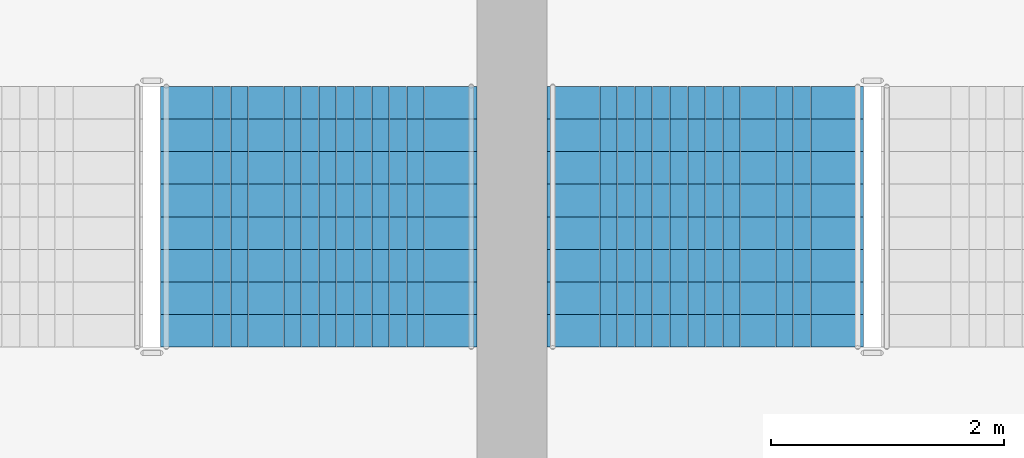
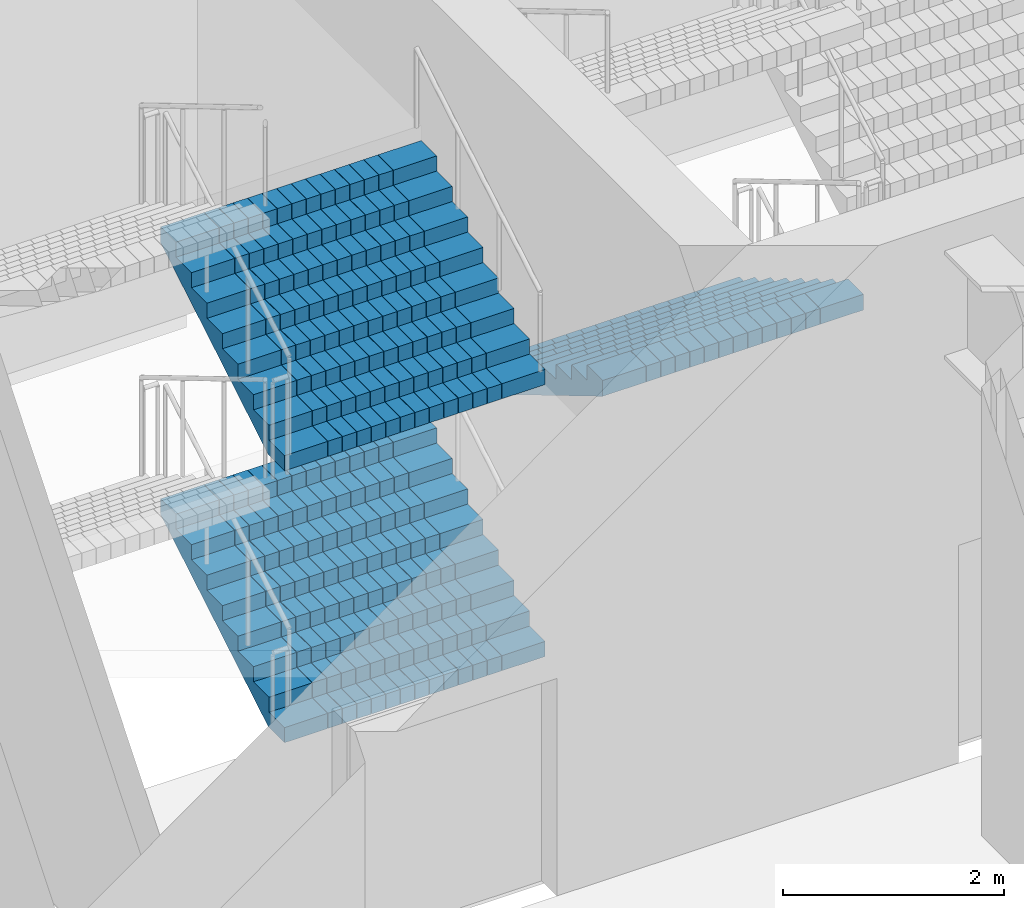
# One storey, part 35 of 43: 3 stair flights, 2 elements without a shape of their own.
"""IFC4 building model written with IfcOpenShell, lengths in metres."""

from ifc_helpers import new_model, si_unit, direction, frame, origin, place, context, subcontext, project, spatial, polyline, outline, extrude, material, type_object, element, aggregate, save


model = new_model("IFC4")

# Units and contexts
model_context = context("Model", 3, precision=1e-05, world=origin(), true_north=direction((0.0, 1.0)))
body_context = subcontext(model_context, "Body", "Model", "MODEL_VIEW")
ifc_project = project(units=[si_unit("LENGTHUNIT", "METRE"), si_unit("AREAUNIT", "SQUARE_METRE"), si_unit("VOLUMEUNIT", "CUBIC_METRE"), si_unit("PLANEANGLEUNIT", "RADIAN"), si_unit("MASSUNIT", "GRAM", prefix="KILO")], contexts=[model_context])

# Site, building, storey
site_placement = place(None, origin())
site = spatial("IfcSite", under=ifc_project, at=site_placement, CompositionType="ELEMENT")
building_placement = place(site_placement, origin())
building = spatial("IfcBuilding", under=site, at=building_placement, Name="Corbelhall Arena Tower", CompositionType="ELEMENT")
storey_placement = place(building_placement, frame((0.0, 0.0, 25.0)))
storey = spatial("IfcBuildingStorey", under=building, at=storey_placement, Name="L03", CompositionType="ELEMENT", Elevation=25.0)

# Stair, stair flights
ifc_material = material(Name="Reinforced concrete C40/50", Category="concrete")
stair_type = type_object("IfcStairType", Name="AR-EXIT-STAIR", PredefinedType="HALF_TURN_STAIR", material=ifc_material)
stair_1_placement = place(storey_placement, origin())
stair_1 = element("IfcStair", 1, at=stair_1_placement, inside=storey, type_object=stair_type, Name="L03 exit stair AS1", PredefinedType="HALF_TURN_STAIR")
stair_flight_type = type_object("IfcStairFlightType", Name="AR-EXIT-FLIGHT", PredefinedType="STRAIGHT", material=ifc_material)
stair_flight_1_placement = place(storey_placement, frame((38.840087890625, 27.320068359375, 0.0), z_axis=(0.0, 0.0, 1.0), x_axis=(0.0, 1.0, 0.0)))
stair_flight_1 = element("IfcStairFlight", 2, at=stair_flight_1_placement, type_object=stair_flight_type, Name="AS1 flight 1", NumberOfRisers=9, NumberOfTreads=8, PredefinedType="STRAIGHT", RiserHeight=0.166666667, TreadLength=0.28, context=body_context, shape_type="SweptSolid", body=[
    extrude(outline(polyline([(0.0, 0.0), (0.0, 0.166748046875), (0.280029296875, 0.166748046875), (0.280029296875, 0.333251953125), (0.56005859375, 0.333251953125), (0.56005859375, 0.5), (0.840087890625, 0.5), (0.840087890625, 0.666748046875), (1.1201171875, 0.666748046875), (1.1201171875, 0.833251953125), (1.39990234375, 0.833251953125), (1.39990234375, 1.0), (1.679931640625, 1.0), (1.679931640625, 1.166748046875), (1.9599609375, 1.166748046875), (1.9599609375, 1.333251953125), (2.239990234375, 1.333251953125), (2.239990234375, 1.5), (2.239990234375, 1.158935546875), (0.29296875, 0.0), (0.0, 0.0)])), frame((0.0, 1.35986328125, 0.0), z_axis=(0.0, -1.0, 0.0), x_axis=(1.0, 0.0, 0.0)), (0.0, 0.0, 1.0), 0.449951171875),
    extrude(outline(polyline([(0.0, 0.0), (0.0, 0.166748046875), (0.280029296875, 0.166748046875), (0.280029296875, 0.333251953125), (0.56005859375, 0.333251953125), (0.56005859375, 0.5), (0.840087890625, 0.5), (0.840087890625, 0.666748046875), (1.1201171875, 0.666748046875), (1.1201171875, 0.833251953125), (1.39990234375, 0.833251953125), (1.39990234375, 1.0), (1.679931640625, 1.0), (1.679931640625, 1.166748046875), (1.9599609375, 1.166748046875), (1.9599609375, 1.333251953125), (2.239990234375, 1.333251953125), (2.239990234375, 1.5), (2.239990234375, 1.158935546875), (0.29296875, 0.0), (0.0, 0.0)])), frame((0.0, 0.906005859375, 0.0), z_axis=(0.0, -1.0, 0.0), x_axis=(1.0, 0.0, 0.0)), (0.0, 0.0, 1.0), 0.147216796875),
    extrude(outline(polyline([(0.0, 0.0), (0.0, 0.166748046875), (0.280029296875, 0.166748046875), (0.280029296875, 0.333251953125), (0.56005859375, 0.333251953125), (0.56005859375, 0.5), (0.840087890625, 0.5), (0.840087890625, 0.666748046875), (1.1201171875, 0.666748046875), (1.1201171875, 0.833251953125), (1.39990234375, 0.833251953125), (1.39990234375, 1.0), (1.679931640625, 1.0), (1.679931640625, 1.166748046875), (1.9599609375, 1.166748046875), (1.9599609375, 1.333251953125), (2.239990234375, 1.333251953125), (2.239990234375, 1.5), (2.239990234375, 1.158935546875), (0.29296875, 0.0), (0.0, 0.0)])), frame((0.0, 0.754638671875, 0.0), z_axis=(0.0, -1.0, 0.0), x_axis=(1.0, 0.0, 0.0)), (0.0, 0.0, 1.0), 0.147216796875),
    extrude(outline(polyline([(0.0, 0.0), (0.0, 0.166748046875), (0.280029296875, 0.166748046875), (0.280029296875, 0.333251953125), (0.56005859375, 0.333251953125), (0.56005859375, 0.5), (0.840087890625, 0.5), (0.840087890625, 0.666748046875), (1.1201171875, 0.666748046875), (1.1201171875, 0.833251953125), (1.39990234375, 0.833251953125), (1.39990234375, 1.0), (1.679931640625, 1.0), (1.679931640625, 1.166748046875), (1.9599609375, 1.166748046875), (1.9599609375, 1.333251953125), (2.239990234375, 1.333251953125), (2.239990234375, 1.5), (2.239990234375, 1.158935546875), (0.29296875, 0.0), (0.0, 0.0)])), frame((0.0, 0.603271484375, 0.0), z_axis=(0.0, -1.0, 0.0), x_axis=(1.0, 0.0, 0.0)), (0.0, 0.0, 1.0), 0.147216796875),
    extrude(outline(polyline([(0.0, 0.0), (0.0, 0.166748046875), (0.280029296875, 0.166748046875), (0.280029296875, 0.333251953125), (0.56005859375, 0.333251953125), (0.56005859375, 0.5), (0.840087890625, 0.5), (0.840087890625, 0.666748046875), (1.1201171875, 0.666748046875), (1.1201171875, 0.833251953125), (1.39990234375, 0.833251953125), (1.39990234375, 1.0), (1.679931640625, 1.0), (1.679931640625, 1.166748046875), (1.9599609375, 1.166748046875), (1.9599609375, 1.333251953125), (2.239990234375, 1.333251953125), (2.239990234375, 1.5), (2.239990234375, 1.158935546875), (0.29296875, 0.0), (0.0, 0.0)])), frame((0.0, 0.451904296875, 0.0), z_axis=(0.0, -1.0, 0.0), x_axis=(1.0, 0.0, 0.0)), (0.0, 0.0, 1.0), 0.147216796875),
    extrude(outline(polyline([(0.0, 0.0), (0.0, 0.166748046875), (0.280029296875, 0.166748046875), (0.280029296875, 0.333251953125), (0.56005859375, 0.333251953125), (0.56005859375, 0.5), (0.840087890625, 0.5), (0.840087890625, 0.666748046875), (1.1201171875, 0.666748046875), (1.1201171875, 0.833251953125), (1.39990234375, 0.833251953125), (1.39990234375, 1.0), (1.679931640625, 1.0), (1.679931640625, 1.166748046875), (1.9599609375, 1.166748046875), (1.9599609375, 1.333251953125), (2.239990234375, 1.333251953125), (2.239990234375, 1.5), (2.239990234375, 1.158935546875), (0.29296875, 0.0), (0.0, 0.0)])), frame((0.0, 0.30078125, 0.0), z_axis=(0.0, -1.0, 0.0), x_axis=(1.0, 0.0, 0.0)), (0.0, 0.0, 1.0), 0.147216796875),
    extrude(outline(polyline([(0.0, 0.0), (0.0, 0.166748046875), (0.280029296875, 0.166748046875), (0.280029296875, 0.333251953125), (0.56005859375, 0.333251953125), (0.56005859375, 0.5), (0.840087890625, 0.5), (0.840087890625, 0.666748046875), (1.1201171875, 0.666748046875), (1.1201171875, 0.833251953125), (1.39990234375, 0.833251953125), (1.39990234375, 1.0), (1.679931640625, 1.0), (1.679931640625, 1.166748046875), (1.9599609375, 1.166748046875), (1.9599609375, 1.333251953125), (2.239990234375, 1.333251953125), (2.239990234375, 1.5), (2.239990234375, 1.158935546875), (0.29296875, 0.0), (0.0, 0.0)])), frame((0.0, 0.1494140625, 0.0), z_axis=(0.0, -1.0, 0.0), x_axis=(1.0, 0.0, 0.0)), (0.0, 0.0, 1.0), 0.147216796875),
    extrude(outline(polyline([(0.0, 0.0), (0.0, 0.166748046875), (0.280029296875, 0.166748046875), (0.280029296875, 0.333251953125), (0.56005859375, 0.333251953125), (0.56005859375, 0.5), (0.840087890625, 0.5), (0.840087890625, 0.666748046875), (1.1201171875, 0.666748046875), (1.1201171875, 0.833251953125), (1.39990234375, 0.833251953125), (1.39990234375, 1.0), (1.679931640625, 1.0), (1.679931640625, 1.166748046875), (1.9599609375, 1.166748046875), (1.9599609375, 1.333251953125), (2.239990234375, 1.333251953125), (2.239990234375, 1.5), (2.239990234375, 1.158935546875), (0.29296875, 0.0), (0.0, 0.0)])), frame((0.0, -0.001953125, 0.0), z_axis=(0.0, -1.0, 0.0), x_axis=(1.0, 0.0, 0.0)), (0.0, 0.0, 1.0), 0.147216796875),
    extrude(outline(polyline([(0.0, 0.0), (0.0, 0.166748046875), (0.280029296875, 0.166748046875), (0.280029296875, 0.333251953125), (0.56005859375, 0.333251953125), (0.56005859375, 0.5), (0.840087890625, 0.5), (0.840087890625, 0.666748046875), (1.1201171875, 0.666748046875), (1.1201171875, 0.833251953125), (1.39990234375, 0.833251953125), (1.39990234375, 1.0), (1.679931640625, 1.0), (1.679931640625, 1.166748046875), (1.9599609375, 1.166748046875), (1.9599609375, 1.333251953125), (2.239990234375, 1.333251953125), (2.239990234375, 1.5), (2.239990234375, 1.158935546875), (0.29296875, 0.0), (0.0, 0.0)])), frame((0.0, -0.1533203125, 0.0), z_axis=(0.0, -1.0, 0.0), x_axis=(1.0, 0.0, 0.0)), (0.0, 0.0, 1.0), 0.147216796875),
    extrude(outline(polyline([(0.0, 0.0), (0.0, 0.166748046875), (0.280029296875, 0.166748046875), (0.280029296875, 0.333251953125), (0.56005859375, 0.333251953125), (0.56005859375, 0.5), (0.840087890625, 0.5), (0.840087890625, 0.666748046875), (1.1201171875, 0.666748046875), (1.1201171875, 0.833251953125), (1.39990234375, 0.833251953125), (1.39990234375, 1.0), (1.679931640625, 1.0), (1.679931640625, 1.166748046875), (1.9599609375, 1.166748046875), (1.9599609375, 1.333251953125), (2.239990234375, 1.333251953125), (2.239990234375, 1.5), (2.239990234375, 1.158935546875), (0.29296875, 0.0), (0.0, 0.0)])), frame((0.0, -0.3046875, 0.0), z_axis=(0.0, -1.0, 0.0), x_axis=(1.0, 0.0, 0.0)), (0.0, 0.0, 1.0), 0.147216796875),
    extrude(outline(polyline([(0.0, 0.0), (0.0, 0.166748046875), (0.280029296875, 0.166748046875), (0.280029296875, 0.333251953125), (0.56005859375, 0.333251953125), (0.56005859375, 0.5), (0.840087890625, 0.5), (0.840087890625, 0.666748046875), (1.1201171875, 0.666748046875), (1.1201171875, 0.833251953125), (1.39990234375, 0.833251953125), (1.39990234375, 1.0), (1.679931640625, 1.0), (1.679931640625, 1.166748046875), (1.9599609375, 1.166748046875), (1.9599609375, 1.333251953125), (2.239990234375, 1.333251953125), (2.239990234375, 1.5), (2.239990234375, 1.158935546875), (0.29296875, 0.0), (0.0, 0.0)])), frame((0.0, -0.4560546875, 0.0), z_axis=(0.0, -1.0, 0.0), x_axis=(1.0, 0.0, 0.0)), (0.0, 0.0, 1.0), 0.147216796875),
    extrude(outline(polyline([(0.0, 0.0), (0.0, 0.166748046875), (0.280029296875, 0.166748046875), (0.280029296875, 0.333251953125), (0.56005859375, 0.333251953125), (0.56005859375, 0.5), (0.840087890625, 0.5), (0.840087890625, 0.666748046875), (1.1201171875, 0.666748046875), (1.1201171875, 0.833251953125), (1.39990234375, 0.833251953125), (1.39990234375, 1.0), (1.679931640625, 1.0), (1.679931640625, 1.166748046875), (1.9599609375, 1.166748046875), (1.9599609375, 1.333251953125), (2.239990234375, 1.333251953125), (2.239990234375, 1.5), (2.239990234375, 1.158935546875), (0.29296875, 0.0), (0.0, 0.0)])), frame((0.0, -0.607421875, 0.0), z_axis=(0.0, -1.0, 0.0), x_axis=(1.0, 0.0, 0.0)), (0.0, 0.0, 1.0), 0.147216796875),
    extrude(outline(polyline([(0.0, 0.0), (0.0, 0.166748046875), (0.280029296875, 0.166748046875), (0.280029296875, 0.333251953125), (0.56005859375, 0.333251953125), (0.56005859375, 0.5), (0.840087890625, 0.5), (0.840087890625, 0.666748046875), (1.1201171875, 0.666748046875), (1.1201171875, 0.833251953125), (1.39990234375, 0.833251953125), (1.39990234375, 1.0), (1.679931640625, 1.0), (1.679931640625, 1.166748046875), (1.9599609375, 1.166748046875), (1.9599609375, 1.333251953125), (2.239990234375, 1.333251953125), (2.239990234375, 1.5), (2.239990234375, 1.158935546875), (0.29296875, 0.0), (0.0, 0.0)])), frame((0.0, -0.758544921875, 0.0), z_axis=(0.0, -1.0, 0.0), x_axis=(1.0, 0.0, 0.0)), (0.0, 0.0, 1.0), 0.147216796875),
    extrude(outline(polyline([(0.0, 0.0), (0.0, 0.166748046875), (0.280029296875, 0.166748046875), (0.280029296875, 0.333251953125), (0.56005859375, 0.333251953125), (0.56005859375, 0.5), (0.840087890625, 0.5), (0.840087890625, 0.666748046875), (1.1201171875, 0.666748046875), (1.1201171875, 0.833251953125), (1.39990234375, 0.833251953125), (1.39990234375, 1.0), (1.679931640625, 1.0), (1.679931640625, 1.166748046875), (1.9599609375, 1.166748046875), (1.9599609375, 1.333251953125), (2.239990234375, 1.333251953125), (2.239990234375, 1.5), (2.239990234375, 1.158935546875), (0.29296875, 0.0), (0.0, 0.0)])), frame((0.0, -0.909912109375, 0.0), z_axis=(0.0, -1.0, 0.0), x_axis=(1.0, 0.0, 0.0)), (0.0, 0.0, 1.0), 0.449951171875),
])
stair_flight_2_placement = place(storey_placement, frame((38.840087890625, 27.320068359375, 3.0), z_axis=(0.0, 0.0, 1.0), x_axis=(0.0, 1.0, 0.0)))
stair_flight_2 = element("IfcStairFlight", 3, at=stair_flight_2_placement, type_object=stair_flight_type, Name="AS1 flight 3", NumberOfRisers=9, NumberOfTreads=8, PredefinedType="STRAIGHT", RiserHeight=0.166666667, TreadLength=0.28, context=body_context, shape_type="SweptSolid", body=[
    extrude(outline(polyline([(0.0, 0.0), (0.0, 0.166748046875), (0.280029296875, 0.166748046875), (0.280029296875, 0.333251953125), (0.56005859375, 0.333251953125), (0.56005859375, 0.5), (0.840087890625, 0.5), (0.840087890625, 0.666748046875), (1.1201171875, 0.666748046875), (1.1201171875, 0.833251953125), (1.39990234375, 0.833251953125), (1.39990234375, 1.0), (1.679931640625, 1.0), (1.679931640625, 1.166748046875), (1.9599609375, 1.166748046875), (1.9599609375, 1.333251953125), (2.239990234375, 1.333251953125), (2.239990234375, 1.5), (2.239990234375, 1.158935546875), (0.29296875, 0.0), (0.0, 0.0)])), frame((0.0, 1.35986328125, 0.0), z_axis=(0.0, -1.0, 0.0), x_axis=(1.0, 0.0, 0.0)), (0.0, 0.0, 1.0), 0.449951171875),
    extrude(outline(polyline([(0.0, 0.0), (0.0, 0.166748046875), (0.280029296875, 0.166748046875), (0.280029296875, 0.333251953125), (0.56005859375, 0.333251953125), (0.56005859375, 0.5), (0.840087890625, 0.5), (0.840087890625, 0.666748046875), (1.1201171875, 0.666748046875), (1.1201171875, 0.833251953125), (1.39990234375, 0.833251953125), (1.39990234375, 1.0), (1.679931640625, 1.0), (1.679931640625, 1.166748046875), (1.9599609375, 1.166748046875), (1.9599609375, 1.333251953125), (2.239990234375, 1.333251953125), (2.239990234375, 1.5), (2.239990234375, 1.158935546875), (0.29296875, 0.0), (0.0, 0.0)])), frame((0.0, 0.906005859375, 0.0), z_axis=(0.0, -1.0, 0.0), x_axis=(1.0, 0.0, 0.0)), (0.0, 0.0, 1.0), 0.147216796875),
    extrude(outline(polyline([(0.0, 0.0), (0.0, 0.166748046875), (0.280029296875, 0.166748046875), (0.280029296875, 0.333251953125), (0.56005859375, 0.333251953125), (0.56005859375, 0.5), (0.840087890625, 0.5), (0.840087890625, 0.666748046875), (1.1201171875, 0.666748046875), (1.1201171875, 0.833251953125), (1.39990234375, 0.833251953125), (1.39990234375, 1.0), (1.679931640625, 1.0), (1.679931640625, 1.166748046875), (1.9599609375, 1.166748046875), (1.9599609375, 1.333251953125), (2.239990234375, 1.333251953125), (2.239990234375, 1.5), (2.239990234375, 1.158935546875), (0.29296875, 0.0), (0.0, 0.0)])), frame((0.0, 0.754638671875, 0.0), z_axis=(0.0, -1.0, 0.0), x_axis=(1.0, 0.0, 0.0)), (0.0, 0.0, 1.0), 0.147216796875),
    extrude(outline(polyline([(0.0, 0.0), (0.0, 0.166748046875), (0.280029296875, 0.166748046875), (0.280029296875, 0.333251953125), (0.56005859375, 0.333251953125), (0.56005859375, 0.5), (0.840087890625, 0.5), (0.840087890625, 0.666748046875), (1.1201171875, 0.666748046875), (1.1201171875, 0.833251953125), (1.39990234375, 0.833251953125), (1.39990234375, 1.0), (1.679931640625, 1.0), (1.679931640625, 1.166748046875), (1.9599609375, 1.166748046875), (1.9599609375, 1.333251953125), (2.239990234375, 1.333251953125), (2.239990234375, 1.5), (2.239990234375, 1.158935546875), (0.29296875, 0.0), (0.0, 0.0)])), frame((0.0, 0.603271484375, 0.0), z_axis=(0.0, -1.0, 0.0), x_axis=(1.0, 0.0, 0.0)), (0.0, 0.0, 1.0), 0.147216796875),
    extrude(outline(polyline([(0.0, 0.0), (0.0, 0.166748046875), (0.280029296875, 0.166748046875), (0.280029296875, 0.333251953125), (0.56005859375, 0.333251953125), (0.56005859375, 0.5), (0.840087890625, 0.5), (0.840087890625, 0.666748046875), (1.1201171875, 0.666748046875), (1.1201171875, 0.833251953125), (1.39990234375, 0.833251953125), (1.39990234375, 1.0), (1.679931640625, 1.0), (1.679931640625, 1.166748046875), (1.9599609375, 1.166748046875), (1.9599609375, 1.333251953125), (2.239990234375, 1.333251953125), (2.239990234375, 1.5), (2.239990234375, 1.158935546875), (0.29296875, 0.0), (0.0, 0.0)])), frame((0.0, 0.451904296875, 0.0), z_axis=(0.0, -1.0, 0.0), x_axis=(1.0, 0.0, 0.0)), (0.0, 0.0, 1.0), 0.147216796875),
    extrude(outline(polyline([(0.0, 0.0), (0.0, 0.166748046875), (0.280029296875, 0.166748046875), (0.280029296875, 0.333251953125), (0.56005859375, 0.333251953125), (0.56005859375, 0.5), (0.840087890625, 0.5), (0.840087890625, 0.666748046875), (1.1201171875, 0.666748046875), (1.1201171875, 0.833251953125), (1.39990234375, 0.833251953125), (1.39990234375, 1.0), (1.679931640625, 1.0), (1.679931640625, 1.166748046875), (1.9599609375, 1.166748046875), (1.9599609375, 1.333251953125), (2.239990234375, 1.333251953125), (2.239990234375, 1.5), (2.239990234375, 1.158935546875), (0.29296875, 0.0), (0.0, 0.0)])), frame((0.0, 0.30078125, 0.0), z_axis=(0.0, -1.0, 0.0), x_axis=(1.0, 0.0, 0.0)), (0.0, 0.0, 1.0), 0.147216796875),
    extrude(outline(polyline([(0.0, 0.0), (0.0, 0.166748046875), (0.280029296875, 0.166748046875), (0.280029296875, 0.333251953125), (0.56005859375, 0.333251953125), (0.56005859375, 0.5), (0.840087890625, 0.5), (0.840087890625, 0.666748046875), (1.1201171875, 0.666748046875), (1.1201171875, 0.833251953125), (1.39990234375, 0.833251953125), (1.39990234375, 1.0), (1.679931640625, 1.0), (1.679931640625, 1.166748046875), (1.9599609375, 1.166748046875), (1.9599609375, 1.333251953125), (2.239990234375, 1.333251953125), (2.239990234375, 1.5), (2.239990234375, 1.158935546875), (0.29296875, 0.0), (0.0, 0.0)])), frame((0.0, 0.1494140625, 0.0), z_axis=(0.0, -1.0, 0.0), x_axis=(1.0, 0.0, 0.0)), (0.0, 0.0, 1.0), 0.147216796875),
    extrude(outline(polyline([(0.0, 0.0), (0.0, 0.166748046875), (0.280029296875, 0.166748046875), (0.280029296875, 0.333251953125), (0.56005859375, 0.333251953125), (0.56005859375, 0.5), (0.840087890625, 0.5), (0.840087890625, 0.666748046875), (1.1201171875, 0.666748046875), (1.1201171875, 0.833251953125), (1.39990234375, 0.833251953125), (1.39990234375, 1.0), (1.679931640625, 1.0), (1.679931640625, 1.166748046875), (1.9599609375, 1.166748046875), (1.9599609375, 1.333251953125), (2.239990234375, 1.333251953125), (2.239990234375, 1.5), (2.239990234375, 1.158935546875), (0.29296875, 0.0), (0.0, 0.0)])), frame((0.0, -0.001953125, 0.0), z_axis=(0.0, -1.0, 0.0), x_axis=(1.0, 0.0, 0.0)), (0.0, 0.0, 1.0), 0.147216796875),
    extrude(outline(polyline([(0.0, 0.0), (0.0, 0.166748046875), (0.280029296875, 0.166748046875), (0.280029296875, 0.333251953125), (0.56005859375, 0.333251953125), (0.56005859375, 0.5), (0.840087890625, 0.5), (0.840087890625, 0.666748046875), (1.1201171875, 0.666748046875), (1.1201171875, 0.833251953125), (1.39990234375, 0.833251953125), (1.39990234375, 1.0), (1.679931640625, 1.0), (1.679931640625, 1.166748046875), (1.9599609375, 1.166748046875), (1.9599609375, 1.333251953125), (2.239990234375, 1.333251953125), (2.239990234375, 1.5), (2.239990234375, 1.158935546875), (0.29296875, 0.0), (0.0, 0.0)])), frame((0.0, -0.1533203125, 0.0), z_axis=(0.0, -1.0, 0.0), x_axis=(1.0, 0.0, 0.0)), (0.0, 0.0, 1.0), 0.147216796875),
    extrude(outline(polyline([(0.0, 0.0), (0.0, 0.166748046875), (0.280029296875, 0.166748046875), (0.280029296875, 0.333251953125), (0.56005859375, 0.333251953125), (0.56005859375, 0.5), (0.840087890625, 0.5), (0.840087890625, 0.666748046875), (1.1201171875, 0.666748046875), (1.1201171875, 0.833251953125), (1.39990234375, 0.833251953125), (1.39990234375, 1.0), (1.679931640625, 1.0), (1.679931640625, 1.166748046875), (1.9599609375, 1.166748046875), (1.9599609375, 1.333251953125), (2.239990234375, 1.333251953125), (2.239990234375, 1.5), (2.239990234375, 1.158935546875), (0.29296875, 0.0), (0.0, 0.0)])), frame((0.0, -0.3046875, 0.0), z_axis=(0.0, -1.0, 0.0), x_axis=(1.0, 0.0, 0.0)), (0.0, 0.0, 1.0), 0.147216796875),
    extrude(outline(polyline([(0.0, 0.0), (0.0, 0.166748046875), (0.280029296875, 0.166748046875), (0.280029296875, 0.333251953125), (0.56005859375, 0.333251953125), (0.56005859375, 0.5), (0.840087890625, 0.5), (0.840087890625, 0.666748046875), (1.1201171875, 0.666748046875), (1.1201171875, 0.833251953125), (1.39990234375, 0.833251953125), (1.39990234375, 1.0), (1.679931640625, 1.0), (1.679931640625, 1.166748046875), (1.9599609375, 1.166748046875), (1.9599609375, 1.333251953125), (2.239990234375, 1.333251953125), (2.239990234375, 1.5), (2.239990234375, 1.158935546875), (0.29296875, 0.0), (0.0, 0.0)])), frame((0.0, -0.4560546875, 0.0), z_axis=(0.0, -1.0, 0.0), x_axis=(1.0, 0.0, 0.0)), (0.0, 0.0, 1.0), 0.147216796875),
    extrude(outline(polyline([(0.0, 0.0), (0.0, 0.166748046875), (0.280029296875, 0.166748046875), (0.280029296875, 0.333251953125), (0.56005859375, 0.333251953125), (0.56005859375, 0.5), (0.840087890625, 0.5), (0.840087890625, 0.666748046875), (1.1201171875, 0.666748046875), (1.1201171875, 0.833251953125), (1.39990234375, 0.833251953125), (1.39990234375, 1.0), (1.679931640625, 1.0), (1.679931640625, 1.166748046875), (1.9599609375, 1.166748046875), (1.9599609375, 1.333251953125), (2.239990234375, 1.333251953125), (2.239990234375, 1.5), (2.239990234375, 1.158935546875), (0.29296875, 0.0), (0.0, 0.0)])), frame((0.0, -0.607421875, 0.0), z_axis=(0.0, -1.0, 0.0), x_axis=(1.0, 0.0, 0.0)), (0.0, 0.0, 1.0), 0.147216796875),
    extrude(outline(polyline([(0.0, 0.0), (0.0, 0.166748046875), (0.280029296875, 0.166748046875), (0.280029296875, 0.333251953125), (0.56005859375, 0.333251953125), (0.56005859375, 0.5), (0.840087890625, 0.5), (0.840087890625, 0.666748046875), (1.1201171875, 0.666748046875), (1.1201171875, 0.833251953125), (1.39990234375, 0.833251953125), (1.39990234375, 1.0), (1.679931640625, 1.0), (1.679931640625, 1.166748046875), (1.9599609375, 1.166748046875), (1.9599609375, 1.333251953125), (2.239990234375, 1.333251953125), (2.239990234375, 1.5), (2.239990234375, 1.158935546875), (0.29296875, 0.0), (0.0, 0.0)])), frame((0.0, -0.758544921875, 0.0), z_axis=(0.0, -1.0, 0.0), x_axis=(1.0, 0.0, 0.0)), (0.0, 0.0, 1.0), 0.147216796875),
    extrude(outline(polyline([(0.0, 0.0), (0.0, 0.166748046875), (0.280029296875, 0.166748046875), (0.280029296875, 0.333251953125), (0.56005859375, 0.333251953125), (0.56005859375, 0.5), (0.840087890625, 0.5), (0.840087890625, 0.666748046875), (1.1201171875, 0.666748046875), (1.1201171875, 0.833251953125), (1.39990234375, 0.833251953125), (1.39990234375, 1.0), (1.679931640625, 1.0), (1.679931640625, 1.166748046875), (1.9599609375, 1.166748046875), (1.9599609375, 1.333251953125), (2.239990234375, 1.333251953125), (2.239990234375, 1.5), (2.239990234375, 1.158935546875), (0.29296875, 0.0), (0.0, 0.0)])), frame((0.0, -0.909912109375, 0.0), z_axis=(0.0, -1.0, 0.0), x_axis=(1.0, 0.0, 0.0)), (0.0, 0.0, 1.0), 0.449951171875),
])
aggregate(stair_1, [stair_flight_1, stair_flight_2])

# Stair, stair flight
stair_2_placement = place(storey_placement, origin())
stair_2 = element("IfcStair", 4, at=stair_2_placement, inside=storey, type_object=stair_type, Name="L03 exit stair AS2", PredefinedType="HALF_TURN_STAIR")
stair_flight_3_placement = place(storey_placement, frame((42.159912109375, 29.56005859375, 1.5), z_axis=(0.0, 0.0, 1.0), x_axis=(0.0, -1.0, 0.0)))
stair_flight_3 = element("IfcStairFlight", 5, at=stair_flight_3_placement, type_object=stair_flight_type, Name="AS2 flight 2", NumberOfRisers=9, NumberOfTreads=8, PredefinedType="STRAIGHT", RiserHeight=0.166666667, TreadLength=0.28, context=body_context, shape_type="SweptSolid", body=[
    extrude(outline(polyline([(0.0, 0.0), (0.0, 0.166748046875), (0.280029296875, 0.166748046875), (0.280029296875, 0.333251953125), (0.56005859375, 0.333251953125), (0.56005859375, 0.5), (0.840087890625, 0.5), (0.840087890625, 0.666748046875), (1.1201171875, 0.666748046875), (1.1201171875, 0.833251953125), (1.39990234375, 0.833251953125), (1.39990234375, 1.0), (1.679931640625, 1.0), (1.679931640625, 1.166748046875), (1.9599609375, 1.166748046875), (1.9599609375, 1.333251953125), (2.239990234375, 1.333251953125), (2.239990234375, 1.5), (2.239990234375, 1.158935546875), (0.29296875, 0.0), (0.0, 0.0)])), frame((0.0, 1.35986328125, 0.0), z_axis=(0.0, -1.0, 0.0), x_axis=(1.0, 0.0, 0.0)), (0.0, 0.0, 1.0), 0.449951171875),
    extrude(outline(polyline([(0.0, 0.0), (0.0, 0.166748046875), (0.280029296875, 0.166748046875), (0.280029296875, 0.333251953125), (0.56005859375, 0.333251953125), (0.56005859375, 0.5), (0.840087890625, 0.5), (0.840087890625, 0.666748046875), (1.1201171875, 0.666748046875), (1.1201171875, 0.833251953125), (1.39990234375, 0.833251953125), (1.39990234375, 1.0), (1.679931640625, 1.0), (1.679931640625, 1.166748046875), (1.9599609375, 1.166748046875), (1.9599609375, 1.333251953125), (2.239990234375, 1.333251953125), (2.239990234375, 1.5), (2.239990234375, 1.158935546875), (0.29296875, 0.0), (0.0, 0.0)])), frame((0.0, 0.906005859375, 0.0), z_axis=(0.0, -1.0, 0.0), x_axis=(1.0, 0.0, 0.0)), (0.0, 0.0, 1.0), 0.147216796875),
    extrude(outline(polyline([(0.0, 0.0), (0.0, 0.166748046875), (0.280029296875, 0.166748046875), (0.280029296875, 0.333251953125), (0.56005859375, 0.333251953125), (0.56005859375, 0.5), (0.840087890625, 0.5), (0.840087890625, 0.666748046875), (1.1201171875, 0.666748046875), (1.1201171875, 0.833251953125), (1.39990234375, 0.833251953125), (1.39990234375, 1.0), (1.679931640625, 1.0), (1.679931640625, 1.166748046875), (1.9599609375, 1.166748046875), (1.9599609375, 1.333251953125), (2.239990234375, 1.333251953125), (2.239990234375, 1.5), (2.239990234375, 1.158935546875), (0.29296875, 0.0), (0.0, 0.0)])), frame((0.0, 0.754638671875, 0.0), z_axis=(0.0, -1.0, 0.0), x_axis=(1.0, 0.0, 0.0)), (0.0, 0.0, 1.0), 0.147216796875),
    extrude(outline(polyline([(0.0, 0.0), (0.0, 0.166748046875), (0.280029296875, 0.166748046875), (0.280029296875, 0.333251953125), (0.56005859375, 0.333251953125), (0.56005859375, 0.5), (0.840087890625, 0.5), (0.840087890625, 0.666748046875), (1.1201171875, 0.666748046875), (1.1201171875, 0.833251953125), (1.39990234375, 0.833251953125), (1.39990234375, 1.0), (1.679931640625, 1.0), (1.679931640625, 1.166748046875), (1.9599609375, 1.166748046875), (1.9599609375, 1.333251953125), (2.239990234375, 1.333251953125), (2.239990234375, 1.5), (2.239990234375, 1.158935546875), (0.29296875, 0.0), (0.0, 0.0)])), frame((0.0, 0.603271484375, 0.0), z_axis=(0.0, -1.0, 0.0), x_axis=(1.0, 0.0, 0.0)), (0.0, 0.0, 1.0), 0.147216796875),
    extrude(outline(polyline([(0.0, 0.0), (0.0, 0.166748046875), (0.280029296875, 0.166748046875), (0.280029296875, 0.333251953125), (0.56005859375, 0.333251953125), (0.56005859375, 0.5), (0.840087890625, 0.5), (0.840087890625, 0.666748046875), (1.1201171875, 0.666748046875), (1.1201171875, 0.833251953125), (1.39990234375, 0.833251953125), (1.39990234375, 1.0), (1.679931640625, 1.0), (1.679931640625, 1.166748046875), (1.9599609375, 1.166748046875), (1.9599609375, 1.333251953125), (2.239990234375, 1.333251953125), (2.239990234375, 1.5), (2.239990234375, 1.158935546875), (0.29296875, 0.0), (0.0, 0.0)])), frame((0.0, 0.451904296875, 0.0), z_axis=(0.0, -1.0, 0.0), x_axis=(1.0, 0.0, 0.0)), (0.0, 0.0, 1.0), 0.147216796875),
    extrude(outline(polyline([(0.0, 0.0), (0.0, 0.166748046875), (0.280029296875, 0.166748046875), (0.280029296875, 0.333251953125), (0.56005859375, 0.333251953125), (0.56005859375, 0.5), (0.840087890625, 0.5), (0.840087890625, 0.666748046875), (1.1201171875, 0.666748046875), (1.1201171875, 0.833251953125), (1.39990234375, 0.833251953125), (1.39990234375, 1.0), (1.679931640625, 1.0), (1.679931640625, 1.166748046875), (1.9599609375, 1.166748046875), (1.9599609375, 1.333251953125), (2.239990234375, 1.333251953125), (2.239990234375, 1.5), (2.239990234375, 1.158935546875), (0.29296875, 0.0), (0.0, 0.0)])), frame((0.0, 0.30078125, 0.0), z_axis=(0.0, -1.0, 0.0), x_axis=(1.0, 0.0, 0.0)), (0.0, 0.0, 1.0), 0.147216796875),
    extrude(outline(polyline([(0.0, 0.0), (0.0, 0.166748046875), (0.280029296875, 0.166748046875), (0.280029296875, 0.333251953125), (0.56005859375, 0.333251953125), (0.56005859375, 0.5), (0.840087890625, 0.5), (0.840087890625, 0.666748046875), (1.1201171875, 0.666748046875), (1.1201171875, 0.833251953125), (1.39990234375, 0.833251953125), (1.39990234375, 1.0), (1.679931640625, 1.0), (1.679931640625, 1.166748046875), (1.9599609375, 1.166748046875), (1.9599609375, 1.333251953125), (2.239990234375, 1.333251953125), (2.239990234375, 1.5), (2.239990234375, 1.158935546875), (0.29296875, 0.0), (0.0, 0.0)])), frame((0.0, 0.1494140625, 0.0), z_axis=(0.0, -1.0, 0.0), x_axis=(1.0, 0.0, 0.0)), (0.0, 0.0, 1.0), 0.147216796875),
    extrude(outline(polyline([(0.0, 0.0), (0.0, 0.166748046875), (0.280029296875, 0.166748046875), (0.280029296875, 0.333251953125), (0.56005859375, 0.333251953125), (0.56005859375, 0.5), (0.840087890625, 0.5), (0.840087890625, 0.666748046875), (1.1201171875, 0.666748046875), (1.1201171875, 0.833251953125), (1.39990234375, 0.833251953125), (1.39990234375, 1.0), (1.679931640625, 1.0), (1.679931640625, 1.166748046875), (1.9599609375, 1.166748046875), (1.9599609375, 1.333251953125), (2.239990234375, 1.333251953125), (2.239990234375, 1.5), (2.239990234375, 1.158935546875), (0.29296875, 0.0), (0.0, 0.0)])), frame((0.0, -0.001953125, 0.0), z_axis=(0.0, -1.0, 0.0), x_axis=(1.0, 0.0, 0.0)), (0.0, 0.0, 1.0), 0.147216796875),
    extrude(outline(polyline([(0.0, 0.0), (0.0, 0.166748046875), (0.280029296875, 0.166748046875), (0.280029296875, 0.333251953125), (0.56005859375, 0.333251953125), (0.56005859375, 0.5), (0.840087890625, 0.5), (0.840087890625, 0.666748046875), (1.1201171875, 0.666748046875), (1.1201171875, 0.833251953125), (1.39990234375, 0.833251953125), (1.39990234375, 1.0), (1.679931640625, 1.0), (1.679931640625, 1.166748046875), (1.9599609375, 1.166748046875), (1.9599609375, 1.333251953125), (2.239990234375, 1.333251953125), (2.239990234375, 1.5), (2.239990234375, 1.158935546875), (0.29296875, 0.0), (0.0, 0.0)])), frame((0.0, -0.1533203125, 0.0), z_axis=(0.0, -1.0, 0.0), x_axis=(1.0, 0.0, 0.0)), (0.0, 0.0, 1.0), 0.147216796875),
    extrude(outline(polyline([(0.0, 0.0), (0.0, 0.166748046875), (0.280029296875, 0.166748046875), (0.280029296875, 0.333251953125), (0.56005859375, 0.333251953125), (0.56005859375, 0.5), (0.840087890625, 0.5), (0.840087890625, 0.666748046875), (1.1201171875, 0.666748046875), (1.1201171875, 0.833251953125), (1.39990234375, 0.833251953125), (1.39990234375, 1.0), (1.679931640625, 1.0), (1.679931640625, 1.166748046875), (1.9599609375, 1.166748046875), (1.9599609375, 1.333251953125), (2.239990234375, 1.333251953125), (2.239990234375, 1.5), (2.239990234375, 1.158935546875), (0.29296875, 0.0), (0.0, 0.0)])), frame((0.0, -0.3046875, 0.0), z_axis=(0.0, -1.0, 0.0), x_axis=(1.0, 0.0, 0.0)), (0.0, 0.0, 1.0), 0.147216796875),
    extrude(outline(polyline([(0.0, 0.0), (0.0, 0.166748046875), (0.280029296875, 0.166748046875), (0.280029296875, 0.333251953125), (0.56005859375, 0.333251953125), (0.56005859375, 0.5), (0.840087890625, 0.5), (0.840087890625, 0.666748046875), (1.1201171875, 0.666748046875), (1.1201171875, 0.833251953125), (1.39990234375, 0.833251953125), (1.39990234375, 1.0), (1.679931640625, 1.0), (1.679931640625, 1.166748046875), (1.9599609375, 1.166748046875), (1.9599609375, 1.333251953125), (2.239990234375, 1.333251953125), (2.239990234375, 1.5), (2.239990234375, 1.158935546875), (0.29296875, 0.0), (0.0, 0.0)])), frame((0.0, -0.4560546875, 0.0), z_axis=(0.0, -1.0, 0.0), x_axis=(1.0, 0.0, 0.0)), (0.0, 0.0, 1.0), 0.147216796875),
    extrude(outline(polyline([(0.0, 0.0), (0.0, 0.166748046875), (0.280029296875, 0.166748046875), (0.280029296875, 0.333251953125), (0.56005859375, 0.333251953125), (0.56005859375, 0.5), (0.840087890625, 0.5), (0.840087890625, 0.666748046875), (1.1201171875, 0.666748046875), (1.1201171875, 0.833251953125), (1.39990234375, 0.833251953125), (1.39990234375, 1.0), (1.679931640625, 1.0), (1.679931640625, 1.166748046875), (1.9599609375, 1.166748046875), (1.9599609375, 1.333251953125), (2.239990234375, 1.333251953125), (2.239990234375, 1.5), (2.239990234375, 1.158935546875), (0.29296875, 0.0), (0.0, 0.0)])), frame((0.0, -0.607421875, 0.0), z_axis=(0.0, -1.0, 0.0), x_axis=(1.0, 0.0, 0.0)), (0.0, 0.0, 1.0), 0.147216796875),
    extrude(outline(polyline([(0.0, 0.0), (0.0, 0.166748046875), (0.280029296875, 0.166748046875), (0.280029296875, 0.333251953125), (0.56005859375, 0.333251953125), (0.56005859375, 0.5), (0.840087890625, 0.5), (0.840087890625, 0.666748046875), (1.1201171875, 0.666748046875), (1.1201171875, 0.833251953125), (1.39990234375, 0.833251953125), (1.39990234375, 1.0), (1.679931640625, 1.0), (1.679931640625, 1.166748046875), (1.9599609375, 1.166748046875), (1.9599609375, 1.333251953125), (2.239990234375, 1.333251953125), (2.239990234375, 1.5), (2.239990234375, 1.158935546875), (0.29296875, 0.0), (0.0, 0.0)])), frame((0.0, -0.758544921875, 0.0), z_axis=(0.0, -1.0, 0.0), x_axis=(1.0, 0.0, 0.0)), (0.0, 0.0, 1.0), 0.147216796875),
    extrude(outline(polyline([(0.0, 0.0), (0.0, 0.166748046875), (0.280029296875, 0.166748046875), (0.280029296875, 0.333251953125), (0.56005859375, 0.333251953125), (0.56005859375, 0.5), (0.840087890625, 0.5), (0.840087890625, 0.666748046875), (1.1201171875, 0.666748046875), (1.1201171875, 0.833251953125), (1.39990234375, 0.833251953125), (1.39990234375, 1.0), (1.679931640625, 1.0), (1.679931640625, 1.166748046875), (1.9599609375, 1.166748046875), (1.9599609375, 1.333251953125), (2.239990234375, 1.333251953125), (2.239990234375, 1.5), (2.239990234375, 1.158935546875), (0.29296875, 0.0), (0.0, 0.0)])), frame((0.0, -0.909912109375, 0.0), z_axis=(0.0, -1.0, 0.0), x_axis=(1.0, 0.0, 0.0)), (0.0, 0.0, 1.0), 0.449951171875),
])
aggregate(stair_2, [stair_flight_3])

save(model, "model.ifc")
